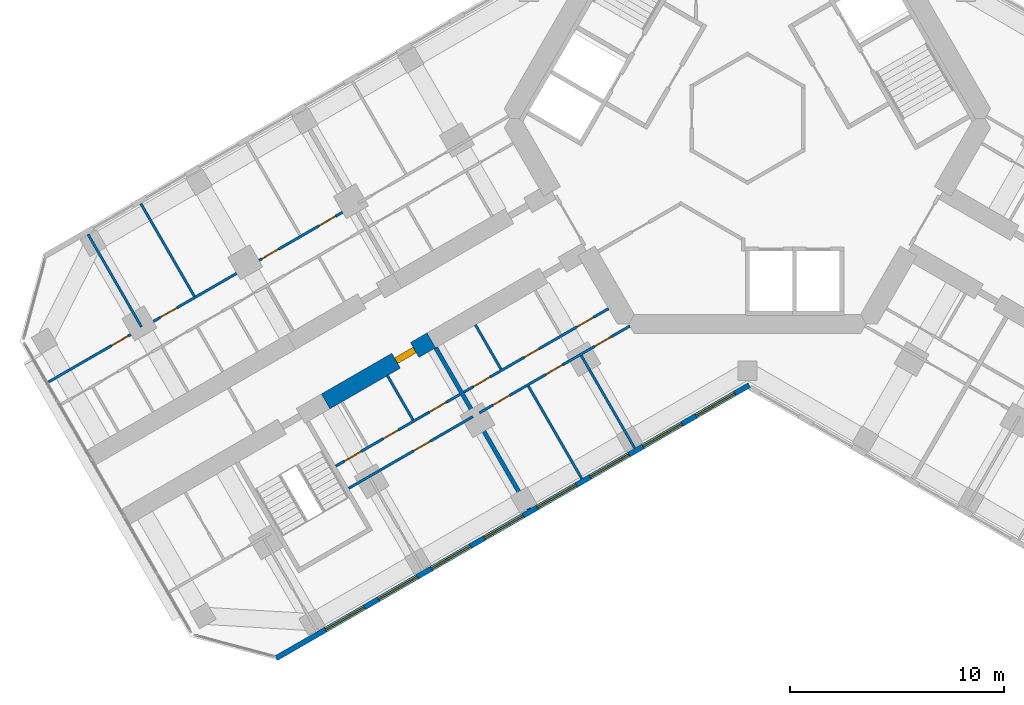
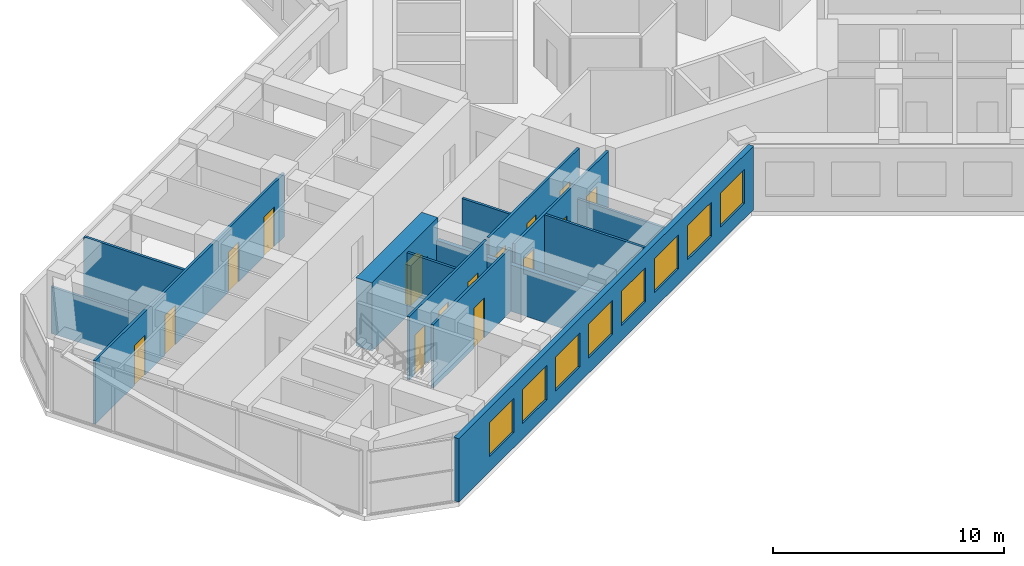
# One storey, part 11 of 19: 15 doors, 14 walls, 8 windows, 23 openings.
"""IFC4 building model written with IfcOpenShell, lengths in metres."""

from ifc_helpers import new_model, si_unit, direction, frame, frame_2d, origin, place, context, subcontext, project, spatial, rectangle, extrude, material, layer, layer_set, type_object, element, fill, save


model = new_model("IFC4")

# Units and contexts
model_context = context("Model", 3, precision=1e-05, world=origin(), true_north=direction((0.0, 1.0)))
body_context = subcontext(model_context, "Body", "Model", "MODEL_VIEW")
ifc_project = project(units=[si_unit("LENGTHUNIT", "METRE"), si_unit("AREAUNIT", "SQUARE_METRE"), si_unit("VOLUMEUNIT", "CUBIC_METRE"), si_unit("PLANEANGLEUNIT", "RADIAN"), si_unit("MASSUNIT", "GRAM", prefix="KILO")], contexts=[model_context])

# Site, building, storey
site_placement = place(None, origin())
site = spatial("IfcSite", under=ifc_project, at=site_placement, CompositionType="ELEMENT")
building_placement = place(site_placement, origin())
building = spatial("IfcBuilding", under=site, at=building_placement, Name="Kosmar Iwan School Tower", CompositionType="ELEMENT")
storey_placement = place(building_placement, frame((0.0, 0.0, 158.0)))
storey = spatial("IfcBuildingStorey", under=building, at=storey_placement, Name="L39", CompositionType="ELEMENT", Elevation=158.0)

# Wall, opening, door
ifc_material_1 = material(Name="Concrete C50/60", Category="concrete")
ifc_layer_1 = layer(ifc_material_1, 0.800048828125)
ifc_layer_set_1 = layer_set([ifc_layer_1], Name="Corridor buttress wall 800")
wall_type_1 = type_object("IfcWallType", Name="Corridor buttress wall 800", PredefinedType="SHEAR", material=ifc_layer_set_1)
wall_1_placement = place(storey_placement, frame((-14.7451171875, -10.360595703125, 0.0), z_axis=(0.0, 0.0, 1.0), x_axis=(-0.866015111908, -0.50001782563, 0.0)))
wall_1 = element("IfcWall", 1, at=wall_1_placement, inside=storey, type_object=wall_type_1, Name="Corridor wall BL bay 2", PredefinedType="SHEAR", context=body_context, shape_type="SweptSolid", body=[
    extrude(rectangle(XDim=5.699951171875, YDim=0.800048828125, at=frame_2d((2.85009765625, 0.0))), origin(), (0.0, 0.0, 1.0), 3.60009765625),
])
opening_1_placement = place(wall_1_placement, frame((0.89990234375, 0.0, 0.0)))
opening_1 = element("IfcOpeningElement", 2, at=opening_1_placement, cuts=wall_1, Name="Opening D1", PredefinedType="OPENING", context=body_context, shape_type="SweptSolid", body=[
    extrude(rectangle(XDim=1.0, YDim=2.10009765625, at=frame_2d((0.5, 1.050048828125))), frame((0.0, 0.412109375, 0.0), z_axis=(0.0, -1.0, 0.0), x_axis=(1.0, 0.0, 0.0)), (0.0, 0.0, 1.0), 0.823974609375),
])
ifc_material_2 = material(Name="Timber fire door in steel frame", Category="steel")
door_type_1 = type_object("IfcDoorType", Name="Flat entrance door 1000x2100", OperationType="SINGLE_SWING_LEFT", PredefinedType="DOOR", material=ifc_material_2)
door_1_placement = place(opening_1_placement, origin())
door_1 = element("IfcDoor", 3, at=door_1_placement, inside=storey, type_object=door_type_1, Name="Flat L39-BL2 entrance door", OperationType="SINGLE_SWING_RIGHT", OverallHeight=2.10009765625, OverallWidth=1.0, PredefinedType="DOOR", context=body_context, shape_type="SweptSolid", body=[
    extrude(rectangle(XDim=1.0, YDim=2.10009765625, at=frame_2d((0.5, 1.050048828125))), frame((0.0, 0.14990234375, 0.0), z_axis=(0.0, -1.0, 0.0), x_axis=(1.0, 0.0, 0.0)), (0.0, 0.0, 1.0), 0.300048828125),
])
fill(opening_1, door_1)

# Wall, openings, doors
ifc_material_3 = material(Name="Gypsum board on steel studs", Category="steel")
ifc_layer_2 = layer(ifc_material_3, 0.1201171875)
ifc_layer_set_2 = layer_set([ifc_layer_2], Name="Dwelling partition 120")
wall_type_2 = type_object("IfcWallType", Name="Dwelling partition 120", PredefinedType="PARTITIONING", material=ifc_layer_set_2)
wall_2_placement = place(storey_placement, frame((-6.478515625, -8.87890625, 0.0), z_axis=(0.0, 0.0, 1.0), x_axis=(-0.866034953203, -0.499983459557, 0.0)))
wall_2 = element("IfcWall", 4, at=wall_2_placement, inside=storey, type_object=wall_type_2, Name="Partition L39-BL1-W1", PredefinedType="PARTITIONING", context=body_context, shape_type="SweptSolid", body=[
    extrude(rectangle(XDim=7.800048828125, YDim=0.1201171875, at=frame_2d((3.89990234375, 0.0))), origin(), (0.0, 0.0, 1.0), 3.35009765625),
])
opening_2_placement = place(wall_2_placement, frame((0.800048828125, 0.0, 0.0)))
opening_2 = element("IfcOpeningElement", 5, at=opening_2_placement, cuts=wall_2, Name="Opening D2", PredefinedType="OPENING", context=body_context, shape_type="SweptSolid", body=[
    extrude(rectangle(XDim=0.89990234375, YDim=2.10009765625, at=frame_2d((0.449951171875, 1.050048828125))), frame((0.0, 0.072021484375, 0.0), z_axis=(0.0, -1.0, 0.0), x_axis=(1.0, 0.0, 0.0)), (0.0, 0.0, 1.0), 0.14404296875),
])
opening_3_placement = place(wall_2_placement, frame((3.755126953125, 0.0, 0.0)))
opening_3 = element("IfcOpeningElement", 6, at=opening_3_placement, cuts=wall_2, Name="Opening D3", PredefinedType="OPENING", context=body_context, shape_type="SweptSolid", body=[
    extrude(rectangle(XDim=0.800048828125, YDim=2.10009765625, at=frame_2d((0.39990234375, 1.050048828125))), frame((0.0, 0.072021484375, 0.0), z_axis=(0.0, -1.0, 0.0), x_axis=(1.0, 0.0, 0.0)), (0.0, 0.0, 1.0), 0.14404296875),
])
opening_4_placement = place(wall_2_placement, frame((6.380126953125, 0.0, 0.0)))
opening_4 = element("IfcOpeningElement", 7, at=opening_4_placement, cuts=wall_2, Name="Opening D2", PredefinedType="OPENING", context=body_context, shape_type="SweptSolid", body=[
    extrude(rectangle(XDim=0.89990234375, YDim=2.10009765625, at=frame_2d((0.449951171875, 1.050048828125))), frame((0.0, 0.072021484375, 0.0), z_axis=(0.0, -1.0, 0.0), x_axis=(1.0, 0.0, 0.0)), (0.0, 0.0, 1.0), 0.14404296875),
])
ifc_material_4 = material(Name="Timber door in timber frame", Category="wood")
door_type_2 = type_object("IfcDoorType", Name="Internal door 900x2100", OperationType="SINGLE_SWING_LEFT", PredefinedType="DOOR", material=ifc_material_4)
door_2_placement = place(opening_2_placement, origin())
door_2 = element("IfcDoor", 8, at=door_2_placement, inside=storey, type_object=door_type_2, Name="Entrance hall door L39-BL1-S1", OperationType="SINGLE_SWING_LEFT", OverallHeight=2.10009765625, OverallWidth=0.89990234375, PredefinedType="DOOR", context=body_context, shape_type="SweptSolid", body=[
    extrude(rectangle(XDim=0.89990234375, YDim=2.10009765625, at=frame_2d((0.449951171875, 1.050048828125))), frame((0.0, 0.02490234375, 0.0), z_axis=(0.0, -1.0, 0.0), x_axis=(1.0, 0.0, 0.0)), (0.0, 0.0, 1.0), 0.050048828125),
])
fill(opening_2, door_2)
door_3_placement = place(opening_4_placement, origin())
door_3 = element("IfcDoor", 9, at=door_3_placement, inside=storey, type_object=door_type_2, Name="Pantry door L39-BL1-S3", OperationType="SINGLE_SWING_RIGHT", OverallHeight=2.10009765625, OverallWidth=0.89990234375, PredefinedType="DOOR", context=body_context, shape_type="SweptSolid", body=[
    extrude(rectangle(XDim=0.89990234375, YDim=2.10009765625, at=frame_2d((0.449951171875, 1.050048828125))), frame((0.0, 0.02490234375, 0.0), z_axis=(0.0, -1.0, 0.0), x_axis=(1.0, 0.0, 0.0)), (0.0, 0.0, 1.0), 0.050048828125),
])
fill(opening_4, door_3)
ifc_material_5 = material(Name="Timber door in timber frame", Category="wood")
door_type_3 = type_object("IfcDoorType", Name="Sanitary room door 800x2100", OperationType="SINGLE_SWING_LEFT", PredefinedType="DOOR", material=ifc_material_5)
door_4_placement = place(opening_3_placement, origin())
door_4 = element("IfcDoor", 10, at=door_4_placement, inside=storey, type_object=door_type_3, Name="Bathroom door L39-BL1-S2", OperationType="SINGLE_SWING_RIGHT", OverallHeight=2.10009765625, OverallWidth=0.800048828125, PredefinedType="DOOR", context=body_context, shape_type="SweptSolid", body=[
    extrude(rectangle(XDim=0.800048828125, YDim=2.10009765625, at=frame_2d((0.39990234375, 1.050048828125))), frame((0.0, 0.02490234375, 0.0), z_axis=(0.0, -1.0, 0.0), x_axis=(1.0, 0.0, 0.0)), (0.0, 0.0, 1.0), 0.050048828125),
])
fill(opening_3, door_4)

wall_3_placement = place(storey_placement, frame((-5.48876953125, -9.693115234375, 0.0), z_axis=(0.0, 0.0, 1.0), x_axis=(-0.866025472755, -0.499999880539, 0.0)))
wall_3 = element("IfcWall", 11, at=wall_3_placement, inside=storey, type_object=wall_type_2, Name="Partition L39-BL1-W2", PredefinedType="PARTITIONING", context=body_context, shape_type="SweptSolid", body=[
    extrude(rectangle(XDim=8.10009765625, YDim=0.1201171875, at=frame_2d((4.050048828125, 0.0))), origin(), (0.0, 0.0, 1.0), 3.35009765625),
])
opening_5_placement = place(wall_3_placement, frame((1.0, 0.0, 0.0)))
opening_5 = element("IfcOpeningElement", 12, at=opening_5_placement, cuts=wall_3, Name="Opening D2", PredefinedType="OPENING", context=body_context, shape_type="SweptSolid", body=[
    extrude(rectangle(XDim=0.89990234375, YDim=2.10009765625, at=frame_2d((0.449951171875, 1.050048828125))), frame((0.0, 0.072021484375, 0.0), z_axis=(0.0, -1.0, 0.0), x_axis=(1.0, 0.0, 0.0)), (0.0, 0.0, 1.0), 0.14404296875),
])
opening_6_placement = place(wall_3_placement, frame((3.625, 0.0, 0.0)))
opening_6 = element("IfcOpeningElement", 13, at=opening_6_placement, cuts=wall_3, Name="Opening D2", PredefinedType="OPENING", context=body_context, shape_type="SweptSolid", body=[
    extrude(rectangle(XDim=0.89990234375, YDim=2.10009765625, at=frame_2d((0.449951171875, 1.050048828125))), frame((0.0, 0.072021484375, 0.0), z_axis=(0.0, -1.0, 0.0), x_axis=(1.0, 0.0, 0.0)), (0.0, 0.0, 1.0), 0.14404296875),
])
opening_7_placement = place(wall_3_placement, frame((6.47509765625, 0.0, 0.0)))
opening_7 = element("IfcOpeningElement", 14, at=opening_7_placement, cuts=wall_3, Name="Opening D2", PredefinedType="OPENING", context=body_context, shape_type="SweptSolid", body=[
    extrude(rectangle(XDim=0.89990234375, YDim=2.10009765625, at=frame_2d((0.449951171875, 1.050048828125))), frame((0.0, 0.072021484375, 0.0), z_axis=(0.0, -1.0, 0.0), x_axis=(1.0, 0.0, 0.0)), (0.0, 0.0, 1.0), 0.14404296875),
])
door_5_placement = place(opening_5_placement, origin())
door_5 = element("IfcDoor", 15, at=door_5_placement, inside=storey, type_object=door_type_2, Name="Family room and kitchen door L39-BL1-F1", OperationType="SINGLE_SWING_LEFT", OverallHeight=2.10009765625, OverallWidth=0.89990234375, PredefinedType="DOOR", context=body_context, shape_type="SweptSolid", body=[
    extrude(rectangle(XDim=0.89990234375, YDim=2.10009765625, at=frame_2d((0.449951171875, 1.050048828125))), frame((0.0, 0.02490234375, 0.0), z_axis=(0.0, -1.0, 0.0), x_axis=(1.0, 0.0, 0.0)), (0.0, 0.0, 1.0), 0.050048828125),
])
fill(opening_5, door_5)
door_6_placement = place(opening_6_placement, origin())
door_6 = element("IfcDoor", 16, at=door_6_placement, inside=storey, type_object=door_type_2, Name="Study door L39-BL1-F2", OperationType="SINGLE_SWING_RIGHT", OverallHeight=2.10009765625, OverallWidth=0.89990234375, PredefinedType="DOOR", context=body_context, shape_type="SweptSolid", body=[
    extrude(rectangle(XDim=0.89990234375, YDim=2.10009765625, at=frame_2d((0.449951171875, 1.050048828125))), frame((0.0, 0.02490234375, 0.0), z_axis=(0.0, -1.0, 0.0), x_axis=(1.0, 0.0, 0.0)), (0.0, 0.0, 1.0), 0.050048828125),
])
fill(opening_6, door_6)
door_7_placement = place(opening_7_placement, origin())
door_7 = element("IfcDoor", 17, at=door_7_placement, inside=storey, type_object=door_type_2, Name="Bedroom 1 door L39-BL1-F3", OperationType="SINGLE_SWING_RIGHT", OverallHeight=2.10009765625, OverallWidth=0.89990234375, PredefinedType="DOOR", context=body_context, shape_type="SweptSolid", body=[
    extrude(rectangle(XDim=0.89990234375, YDim=2.10009765625, at=frame_2d((0.449951171875, 1.050048828125))), frame((0.0, 0.02490234375, 0.0), z_axis=(0.0, -1.0, 0.0), x_axis=(1.0, 0.0, 0.0)), (0.0, 0.0, 1.0), 0.050048828125),
])
fill(opening_7, door_7)

# Walls
wall_4_placement = place(storey_placement, frame((-7.75390625, -11.070068359375, 0.0), z_axis=(0.0, 0.0, 1.0), x_axis=(0.500011847778, -0.866018563358, 0.0)))
element("IfcWall", 18, at=wall_4_placement, inside=storey, type_object=wall_type_2, Name="Partition L39-BL1-X1", PredefinedType="PARTITIONING", context=body_context, shape_type="SweptSolid", body=[
    extrude(rectangle(XDim=4.990234375, YDim=0.1201171875, at=frame_2d((2.4951171875, 0.0))), origin(), (0.0, 0.0, 1.0), 2.449951171875),
])
wall_5_placement = place(storey_placement, frame((-10.221923828125, -12.4951171875, 0.0), z_axis=(0.0, 0.0, 1.0), x_axis=(0.499996339024, -0.86602751744, 0.0)))
element("IfcWall", 19, at=wall_5_placement, inside=storey, type_object=wall_type_2, Name="Partition L39-BL1-X2", PredefinedType="PARTITIONING", context=body_context, shape_type="SweptSolid", body=[
    extrude(rectangle(XDim=4.98974609375, YDim=0.1201171875, at=frame_2d((2.494873046875, 0.0))), origin(), (0.0, 0.0, 1.0), 3.35009765625),
])
wall_6_placement = place(storey_placement, frame((-12.69189453125, -9.636962890625, 0.0), z_axis=(0.0, 0.0, 1.0), x_axis=(0.500017192868, -0.86601547725, 0.0)))
element("IfcWall", 20, at=wall_6_placement, inside=storey, type_object=wall_type_2, Name="Partition L39-BL1-Y2", PredefinedType="PARTITIONING", context=body_context, shape_type="SweptSolid", body=[
    extrude(rectangle(XDim=2.39013671875, YDim=0.1201171875, at=frame_2d((1.195068359375, 0.0))), origin(), (0.0, 0.0, 1.0), 3.35009765625),
])

# Wall, openings, doors
wall_7_placement = place(storey_placement, frame((-13.40673828125, -12.87890625, 0.0), z_axis=(0.0, 0.0, 1.0), x_axis=(-0.866039349182, -0.499975845085, 0.0)))
wall_7 = element("IfcWall", 21, at=wall_7_placement, inside=storey, type_object=wall_type_2, Name="Partition L39-BL2-W1", PredefinedType="PARTITIONING", context=body_context, shape_type="SweptSolid", body=[
    extrude(rectangle(XDim=6.699951171875, YDim=0.1201171875, at=frame_2d((3.35009765625, 0.0))), origin(), (0.0, 0.0, 1.0), 3.35009765625),
])
opening_8_placement = place(wall_7_placement, frame((0.75, 0.0, 0.0)))
opening_8 = element("IfcOpeningElement", 22, at=opening_8_placement, cuts=wall_7, Name="Opening D2", PredefinedType="OPENING", context=body_context, shape_type="SweptSolid", body=[
    extrude(rectangle(XDim=0.89990234375, YDim=2.10009765625, at=frame_2d((0.449951171875, 1.050048828125))), frame((0.0, 0.072021484375, 0.0), z_axis=(0.0, -1.0, 0.0), x_axis=(1.0, 0.0, 0.0)), (0.0, 0.0, 1.0), 0.14404296875),
])
opening_9_placement = place(wall_7_placement, frame((3.330078125, 0.0, 0.0)))
opening_9 = element("IfcOpeningElement", 23, at=opening_9_placement, cuts=wall_7, Name="Opening D3", PredefinedType="OPENING", context=body_context, shape_type="SweptSolid", body=[
    extrude(rectangle(XDim=0.800048828125, YDim=2.10009765625, at=frame_2d((0.39990234375, 1.050048828125))), frame((0.0, 0.072021484375, 0.0), z_axis=(0.0, -1.0, 0.0), x_axis=(1.0, 0.0, 0.0)), (0.0, 0.0, 1.0), 0.14404296875),
])
opening_10_placement = place(wall_7_placement, frame((5.330078125, 0.0, 0.0)))
opening_10 = element("IfcOpeningElement", 24, at=opening_10_placement, cuts=wall_7, Name="Opening D2", PredefinedType="OPENING", context=body_context, shape_type="SweptSolid", body=[
    extrude(rectangle(XDim=0.89990234375, YDim=2.10009765625, at=frame_2d((0.449951171875, 1.050048828125))), frame((0.0, 0.072021484375, 0.0), z_axis=(0.0, -1.0, 0.0), x_axis=(1.0, 0.0, 0.0)), (0.0, 0.0, 1.0), 0.14404296875),
])
door_8_placement = place(opening_8_placement, origin())
door_8 = element("IfcDoor", 25, at=door_8_placement, inside=storey, type_object=door_type_2, Name="Entrance hall door L39-BL2-S1", OperationType="SINGLE_SWING_LEFT", OverallHeight=2.10009765625, OverallWidth=0.89990234375, PredefinedType="DOOR", context=body_context, shape_type="SweptSolid", body=[
    extrude(rectangle(XDim=0.89990234375, YDim=2.10009765625, at=frame_2d((0.449951171875, 1.050048828125))), frame((0.0, 0.02490234375, 0.0), z_axis=(0.0, -1.0, 0.0), x_axis=(1.0, 0.0, 0.0)), (0.0, 0.0, 1.0), 0.050048828125),
])
fill(opening_8, door_8)
door_9_placement = place(opening_10_placement, frame((0.89990234375, 0.0, 0.0), z_axis=(0.0, 0.0, 1.0), x_axis=(-1.0, 0.0, 0.0)))
door_9 = element("IfcDoor", 26, at=door_9_placement, inside=storey, type_object=door_type_2, Name="Pantry door L39-BL2-S3", OperationType="SINGLE_SWING_LEFT", OverallHeight=2.10009765625, OverallWidth=0.89990234375, PredefinedType="DOOR", context=body_context, shape_type="SweptSolid", body=[
    extrude(rectangle(XDim=0.89990234375, YDim=2.10009765625, at=frame_2d((0.449951171875, 1.050048828125))), frame((0.0, 0.02490234375, 0.0), z_axis=(0.0, -1.0, 0.0), x_axis=(1.0, 0.0, 0.0)), (0.0, 0.0, 1.0), 0.050048828125),
])
fill(opening_10, door_9)
door_10_placement = place(opening_9_placement, origin())
door_10 = element("IfcDoor", 27, at=door_10_placement, inside=storey, type_object=door_type_3, Name="Bathroom door L39-BL2-S2", OperationType="SINGLE_SWING_RIGHT", OverallHeight=2.10009765625, OverallWidth=0.800048828125, PredefinedType="DOOR", context=body_context, shape_type="SweptSolid", body=[
    extrude(rectangle(XDim=0.800048828125, YDim=2.10009765625, at=frame_2d((0.39990234375, 1.050048828125))), frame((0.0, 0.02490234375, 0.0), z_axis=(0.0, -1.0, 0.0), x_axis=(1.0, 0.0, 0.0)), (0.0, 0.0, 1.0), 0.050048828125),
])
fill(opening_9, door_10)

# Wall, opening, door
wall_8_placement = place(storey_placement, frame((-12.806640625, -13.91796875, 0.0), z_axis=(0.0, 0.0, 1.0), x_axis=(-0.866023571113, -0.500003174267, 0.0)))
wall_8 = element("IfcWall", 28, at=wall_8_placement, inside=storey, type_object=wall_type_2, Name="Partition L39-BL2-W2", PredefinedType="PARTITIONING", context=body_context, shape_type="SweptSolid", body=[
    extrude(rectangle(XDim=6.7001953125, YDim=0.1201171875, at=frame_2d((3.35009765625, 0.0))), origin(), (0.0, 0.0, 1.0), 3.35009765625),
])
opening_11_placement = place(wall_8_placement, frame((2.300048828125, 0.0, 0.0)))
opening_11 = element("IfcOpeningElement", 29, at=opening_11_placement, cuts=wall_8, Name="Opening D2", PredefinedType="OPENING", context=body_context, shape_type="SweptSolid", body=[
    extrude(rectangle(XDim=0.89990234375, YDim=2.10009765625, at=frame_2d((0.449951171875, 1.050048828125))), frame((0.0, 0.072021484375, 0.0), z_axis=(0.0, -1.0, 0.0), x_axis=(1.0, 0.0, 0.0)), (0.0, 0.0, 1.0), 0.14404296875),
])
door_11_placement = place(opening_11_placement, origin())
door_11 = element("IfcDoor", 30, at=door_11_placement, inside=storey, type_object=door_type_2, Name="Studio living room and kitchen door L39-BL2-F1", OperationType="SINGLE_SWING_LEFT", OverallHeight=2.10009765625, OverallWidth=0.89990234375, PredefinedType="DOOR", context=body_context, shape_type="SweptSolid", body=[
    extrude(rectangle(XDim=0.89990234375, YDim=2.10009765625, at=frame_2d((0.449951171875, 1.050048828125))), frame((0.0, 0.02490234375, 0.0), z_axis=(0.0, -1.0, 0.0), x_axis=(1.0, 0.0, 0.0)), (0.0, 0.0, 1.0), 0.050048828125),
])
fill(opening_11, door_11)

# Wall
wall_9_placement = place(storey_placement, frame((-16.796875, -12.007080078125, 0.0), z_axis=(0.0, 0.0, 1.0), x_axis=(0.500017192868, -0.86601547725, 0.0)))
element("IfcWall", 31, at=wall_9_placement, inside=storey, type_object=wall_type_2, Name="Partition L39-BL2-Y1", PredefinedType="PARTITIONING", context=body_context, shape_type="SweptSolid", body=[
    extrude(rectangle(XDim=2.39013671875, YDim=0.1201171875, at=frame_2d((1.195068359375, 0.0))), origin(), (0.0, 0.0, 1.0), 3.35009765625),
])

# Wall, openings, doors
wall_10_placement = place(storey_placement, frame((-18.456787109375, -4.1318359375, 0.0), z_axis=(0.0, 0.0, 1.0), x_axis=(-0.866023907196, -0.500002592159, 0.0)))
wall_10 = element("IfcWall", 32, at=wall_10_placement, inside=storey, type_object=wall_type_2, Name="Partition L39-BR2-W2", PredefinedType="PARTITIONING", context=body_context, shape_type="SweptSolid", body=[
    extrude(rectangle(XDim=16.34521484375, YDim=0.1201171875, at=frame_2d((8.172607421875, 0.0))), origin(), (0.0, 0.0, 1.0), 3.35009765625),
])
opening_12_placement = place(wall_10_placement, frame((0.875, 0.0, 0.0)))
opening_12 = element("IfcOpeningElement", 33, at=opening_12_placement, cuts=wall_10, Name="Opening D2", PredefinedType="OPENING", context=body_context, shape_type="SweptSolid", body=[
    extrude(rectangle(XDim=0.89990234375, YDim=2.10009765625, at=frame_2d((0.449951171875, 1.050048828125))), frame((0.0, 0.072021484375, 0.0), z_axis=(0.0, -1.0, 0.0), x_axis=(1.0, 0.0, 0.0)), (0.0, 0.0, 1.0), 0.14404296875),
])
opening_13_placement = place(wall_10_placement, frame((3.949951171875, 0.0, 0.0)))
opening_13 = element("IfcOpeningElement", 34, at=opening_13_placement, cuts=wall_10, Name="Opening D2", PredefinedType="OPENING", context=body_context, shape_type="SweptSolid", body=[
    extrude(rectangle(XDim=0.89990234375, YDim=2.10009765625, at=frame_2d((0.449951171875, 1.050048828125))), frame((0.0, 0.072021484375, 0.0), z_axis=(0.0, -1.0, 0.0), x_axis=(1.0, 0.0, 0.0)), (0.0, 0.0, 1.0), 0.14404296875),
])
opening_14_placement = place(wall_10_placement, frame((9.425048828125, 0.0, 0.0)))
opening_14 = element("IfcOpeningElement", 35, at=opening_14_placement, cuts=wall_10, Name="Opening D2", PredefinedType="OPENING", context=body_context, shape_type="SweptSolid", body=[
    extrude(rectangle(XDim=0.89990234375, YDim=2.10009765625, at=frame_2d((0.449951171875, 1.050048828125))), frame((0.0, 0.072021484375, 0.0), z_axis=(0.0, -1.0, 0.0), x_axis=(1.0, 0.0, 0.0)), (0.0, 0.0, 1.0), 0.14404296875),
])
opening_15_placement = place(wall_10_placement, frame((12.050048828125, 0.0, 0.0)))
opening_15 = element("IfcOpeningElement", 36, at=opening_15_placement, cuts=wall_10, Name="Opening D2", PredefinedType="OPENING", context=body_context, shape_type="SweptSolid", body=[
    extrude(rectangle(XDim=0.89990234375, YDim=2.10009765625, at=frame_2d((0.449951171875, 1.050048828125))), frame((0.0, 0.072021484375, 0.0), z_axis=(0.0, -1.0, 0.0), x_axis=(1.0, 0.0, 0.0)), (0.0, 0.0, 1.0), 0.14404296875),
])
door_12_placement = place(opening_12_placement, origin())
door_12 = element("IfcDoor", 37, at=door_12_placement, inside=storey, type_object=door_type_2, Name="Kitchen and dining room door L39-BR2-F1", OperationType="SINGLE_SWING_LEFT", OverallHeight=2.10009765625, OverallWidth=0.89990234375, PredefinedType="DOOR", context=body_context, shape_type="SweptSolid", body=[
    extrude(rectangle(XDim=0.89990234375, YDim=2.10009765625, at=frame_2d((0.449951171875, 1.050048828125))), frame((0.0, 0.02490234375, 0.0), z_axis=(0.0, -1.0, 0.0), x_axis=(1.0, 0.0, 0.0)), (0.0, 0.0, 1.0), 0.050048828125),
])
fill(opening_12, door_12)
door_13_placement = place(opening_13_placement, origin())
door_13 = element("IfcDoor", 38, at=door_13_placement, inside=storey, type_object=door_type_2, Name="Living room door L39-BR2-F2", OperationType="SINGLE_SWING_LEFT", OverallHeight=2.10009765625, OverallWidth=0.89990234375, PredefinedType="DOOR", context=body_context, shape_type="SweptSolid", body=[
    extrude(rectangle(XDim=0.89990234375, YDim=2.10009765625, at=frame_2d((0.449951171875, 1.050048828125))), frame((0.0, 0.02490234375, 0.0), z_axis=(0.0, -1.0, 0.0), x_axis=(1.0, 0.0, 0.0)), (0.0, 0.0, 1.0), 0.050048828125),
])
fill(opening_13, door_13)
door_14_placement = place(opening_14_placement, origin())
door_14 = element("IfcDoor", 39, at=door_14_placement, inside=storey, type_object=door_type_2, Name="Bedroom 1 door L39-BR2-F3", OperationType="SINGLE_SWING_RIGHT", OverallHeight=2.10009765625, OverallWidth=0.89990234375, PredefinedType="DOOR", context=body_context, shape_type="SweptSolid", body=[
    extrude(rectangle(XDim=0.89990234375, YDim=2.10009765625, at=frame_2d((0.449951171875, 1.050048828125))), frame((0.0, 0.02490234375, 0.0), z_axis=(0.0, -1.0, 0.0), x_axis=(1.0, 0.0, 0.0)), (0.0, 0.0, 1.0), 0.050048828125),
])
fill(opening_14, door_14)
door_15_placement = place(opening_15_placement, origin())
door_15 = element("IfcDoor", 40, at=door_15_placement, inside=storey, type_object=door_type_2, Name="Bedroom 2 door L39-BR2-F4", OperationType="SINGLE_SWING_RIGHT", OverallHeight=2.10009765625, OverallWidth=0.89990234375, PredefinedType="DOOR", context=body_context, shape_type="SweptSolid", body=[
    extrude(rectangle(XDim=0.89990234375, YDim=2.10009765625, at=frame_2d((0.449951171875, 1.050048828125))), frame((0.0, 0.02490234375, 0.0), z_axis=(0.0, -1.0, 0.0), x_axis=(1.0, 0.0, 0.0)), (0.0, 0.0, 1.0), 0.050048828125),
])
fill(opening_15, door_15)

# Walls
wall_11_placement = place(storey_placement, frame((-25.8046875, -8.304931640625, 0.0), z_axis=(0.0, 0.0, 1.0), x_axis=(-0.499975153383, 0.86603974851, 0.0)))
element("IfcWall", 41, at=wall_11_placement, inside=storey, type_object=wall_type_2, Name="Partition L39-BR2-X2", PredefinedType="PARTITIONING", context=body_context, shape_type="SweptSolid", body=[
    extrude(rectangle(XDim=4.989990234375, YDim=0.1201171875, at=frame_2d((2.4951171875, 0.0))), origin(), (0.0, 0.0, 1.0), 3.35009765625),
])
wall_12_placement = place(storey_placement, frame((-28.27294921875, -9.72998046875, 0.0), z_axis=(0.0, 0.0, 1.0), x_axis=(-0.499975153383, 0.86603974851, 0.0)))
element("IfcWall", 42, at=wall_12_placement, inside=storey, type_object=wall_type_2, Name="Partition L39-BR2-X3", PredefinedType="PARTITIONING", context=body_context, shape_type="SweptSolid", body=[
    extrude(rectangle(XDim=4.989990234375, YDim=0.1201171875, at=frame_2d((2.4951171875, 0.0))), origin(), (0.0, 0.0, 1.0), 2.449951171875),
])

# Wall, openings, windows
ifc_material_6 = material(Name="Black aluminium rainscreen on insulated framing", Category="aluminium")
ifc_layer_3 = layer(ifc_material_6, 0.25)
ifc_layer_set_3 = layer_set([ifc_layer_3], Name="External wall rainscreen 250")
wall_type_3 = type_object("IfcWallType", Name="External wall rainscreen 250", PredefinedType="SOLIDWALL", material=ifc_layer_set_3)
wall_13_placement = place(storey_placement, frame((0.088134765625, -12.44873046875, 0.0), z_axis=(0.0, 0.0, 1.0), x_axis=(-0.866026390279, -0.499998291337, 0.0)))
wall_13 = element("IfcWall", 43, at=wall_13_placement, inside=storey, type_object=wall_type_3, Name="External wall BL L39", PredefinedType="SOLIDWALL", context=body_context, shape_type="SweptSolid", body=[
    extrude(rectangle(XDim=25.4873046875, YDim=0.25, at=frame_2d((12.74365234375, 0.0))), origin(), (0.0, 0.0, 1.0), 3.35009765625),
])
opening_16_placement = place(wall_13_placement, frame((0.777099609375, 0.0, 0.800048828125)))
opening_16 = element("IfcOpeningElement", 44, at=opening_16_placement, cuts=wall_13, Name="Opening W4", PredefinedType="OPENING", context=body_context, shape_type="SweptSolid", body=[
    extrude(rectangle(XDim=2.10009765625, YDim=1.800048828125, at=frame_2d((1.050048828125, 0.89990234375))), frame((0.0, 0.136962890625, 0.0), z_axis=(0.0, -1.0, 0.0), x_axis=(1.0, 0.0, 0.0)), (0.0, 0.0, 1.0), 0.27392578125),
])
opening_17_placement = place(wall_13_placement, frame((3.626953125, 0.0, 0.800048828125)))
opening_17 = element("IfcOpeningElement", 45, at=opening_17_placement, cuts=wall_13, Name="Opening W4", PredefinedType="OPENING", context=body_context, shape_type="SweptSolid", body=[
    extrude(rectangle(XDim=2.10009765625, YDim=1.800048828125, at=frame_2d((1.050048828125, 0.89990234375))), frame((0.0, 0.136962890625, 0.0), z_axis=(0.0, -1.0, 0.0), x_axis=(1.0, 0.0, 0.0)), (0.0, 0.0, 1.0), 0.27392578125),
])
opening_18_placement = place(wall_13_placement, frame((6.47705078125, 0.0, 0.800048828125)))
opening_18 = element("IfcOpeningElement", 46, at=opening_18_placement, cuts=wall_13, Name="Opening W4", PredefinedType="OPENING", context=body_context, shape_type="SweptSolid", body=[
    extrude(rectangle(XDim=2.10009765625, YDim=1.800048828125, at=frame_2d((1.050048828125, 0.89990234375))), frame((0.0, 0.136962890625, 0.0), z_axis=(0.0, -1.0, 0.0), x_axis=(1.0, 0.0, 0.0)), (0.0, 0.0, 1.0), 0.27392578125),
])
opening_19_placement = place(wall_13_placement, frame((9.326904296875, 0.0, 0.800048828125)))
opening_19 = element("IfcOpeningElement", 47, at=opening_19_placement, cuts=wall_13, Name="Opening W4", PredefinedType="OPENING", context=body_context, shape_type="SweptSolid", body=[
    extrude(rectangle(XDim=2.10009765625, YDim=1.800048828125, at=frame_2d((1.050048828125, 0.89990234375))), frame((0.0, 0.136962890625, 0.0), z_axis=(0.0, -1.0, 0.0), x_axis=(1.0, 0.0, 0.0)), (0.0, 0.0, 1.0), 0.27392578125),
])
opening_20_placement = place(wall_13_placement, frame((12.177001953125, 0.0, 0.800048828125)))
opening_20 = element("IfcOpeningElement", 48, at=opening_20_placement, cuts=wall_13, Name="Opening W4", PredefinedType="OPENING", context=body_context, shape_type="SweptSolid", body=[
    extrude(rectangle(XDim=2.10009765625, YDim=1.800048828125, at=frame_2d((1.050048828125, 0.89990234375))), frame((0.0, 0.136962890625, 0.0), z_axis=(0.0, -1.0, 0.0), x_axis=(1.0, 0.0, 0.0)), (0.0, 0.0, 1.0), 0.27392578125),
])
opening_21_placement = place(wall_13_placement, frame((15.027099609375, 0.0, 0.800048828125)))
opening_21 = element("IfcOpeningElement", 49, at=opening_21_placement, cuts=wall_13, Name="Opening W4", PredefinedType="OPENING", context=body_context, shape_type="SweptSolid", body=[
    extrude(rectangle(XDim=2.10009765625, YDim=1.800048828125, at=frame_2d((1.050048828125, 0.89990234375))), frame((0.0, 0.136962890625, 0.0), z_axis=(0.0, -1.0, 0.0), x_axis=(1.0, 0.0, 0.0)), (0.0, 0.0, 1.0), 0.27392578125),
])
opening_22_placement = place(wall_13_placement, frame((17.876953125, 0.0, 0.800048828125)))
opening_22 = element("IfcOpeningElement", 50, at=opening_22_placement, cuts=wall_13, Name="Opening W4", PredefinedType="OPENING", context=body_context, shape_type="SweptSolid", body=[
    extrude(rectangle(XDim=2.10009765625, YDim=1.800048828125, at=frame_2d((1.050048828125, 0.89990234375))), frame((0.0, 0.136962890625, 0.0), z_axis=(0.0, -1.0, 0.0), x_axis=(1.0, 0.0, 0.0)), (0.0, 0.0, 1.0), 0.27392578125),
])
opening_23_placement = place(wall_13_placement, frame((20.72705078125, 0.0, 0.800048828125)))
opening_23 = element("IfcOpeningElement", 51, at=opening_23_placement, cuts=wall_13, Name="Opening W4", PredefinedType="OPENING", context=body_context, shape_type="SweptSolid", body=[
    extrude(rectangle(XDim=2.10009765625, YDim=1.800048828125, at=frame_2d((1.050048828125, 0.89990234375))), frame((0.0, 0.136962890625, 0.0), z_axis=(0.0, -1.0, 0.0), x_axis=(1.0, 0.0, 0.0)), (0.0, 0.0, 1.0), 0.27392578125),
])
ifc_material_7 = material(Name="Black aluminium frame with dark triple glazing", Category="aluminium")
window_type = type_object("IfcWindowType", Name="Window 2100x1800", PartitioningType="SINGLE_PANEL", PredefinedType="WINDOW", material=ifc_material_7)
window_1_placement = place(opening_16_placement, origin())
window_1 = element("IfcWindow", 52, at=window_1_placement, inside=storey, type_object=window_type, Name="Window BL L39 -1", OverallHeight=1.800048828125, OverallWidth=2.10009765625, PartitioningType="SINGLE_PANEL", PredefinedType="WINDOW", context=body_context, shape_type="SweptSolid", body=[
    extrude(rectangle(XDim=2.10009765625, YDim=1.800048828125, at=frame_2d((1.050048828125, 0.89990234375))), frame((0.0, 0.030029296875, 0.0), z_axis=(0.0, -1.0, 0.0), x_axis=(1.0, 0.0, 0.0)), (0.0, 0.0, 1.0), 0.06005859375),
])
fill(opening_16, window_1)
window_2_placement = place(opening_17_placement, origin())
window_2 = element("IfcWindow", 53, at=window_2_placement, inside=storey, type_object=window_type, Name="Window BL L39 0", OverallHeight=1.800048828125, OverallWidth=2.10009765625, PartitioningType="SINGLE_PANEL", PredefinedType="WINDOW", context=body_context, shape_type="SweptSolid", body=[
    extrude(rectangle(XDim=2.10009765625, YDim=1.800048828125, at=frame_2d((1.050048828125, 0.89990234375))), frame((0.0, 0.030029296875, 0.0), z_axis=(0.0, -1.0, 0.0), x_axis=(1.0, 0.0, 0.0)), (0.0, 0.0, 1.0), 0.06005859375),
])
fill(opening_17, window_2)
window_3_placement = place(opening_18_placement, origin())
window_3 = element("IfcWindow", 54, at=window_3_placement, inside=storey, type_object=window_type, Name="Window BL L39 1", OverallHeight=1.800048828125, OverallWidth=2.10009765625, PartitioningType="SINGLE_PANEL", PredefinedType="WINDOW", context=body_context, shape_type="SweptSolid", body=[
    extrude(rectangle(XDim=2.10009765625, YDim=1.800048828125, at=frame_2d((1.050048828125, 0.89990234375))), frame((0.0, 0.030029296875, 0.0), z_axis=(0.0, -1.0, 0.0), x_axis=(1.0, 0.0, 0.0)), (0.0, 0.0, 1.0), 0.06005859375),
])
fill(opening_18, window_3)
window_4_placement = place(opening_19_placement, origin())
window_4 = element("IfcWindow", 55, at=window_4_placement, inside=storey, type_object=window_type, Name="Window BL L39 2", OverallHeight=1.800048828125, OverallWidth=2.10009765625, PartitioningType="SINGLE_PANEL", PredefinedType="WINDOW", context=body_context, shape_type="SweptSolid", body=[
    extrude(rectangle(XDim=2.10009765625, YDim=1.800048828125, at=frame_2d((1.050048828125, 0.89990234375))), frame((0.0, 0.030029296875, 0.0), z_axis=(0.0, -1.0, 0.0), x_axis=(1.0, 0.0, 0.0)), (0.0, 0.0, 1.0), 0.06005859375),
])
fill(opening_19, window_4)
window_5_placement = place(opening_20_placement, origin())
window_5 = element("IfcWindow", 56, at=window_5_placement, inside=storey, type_object=window_type, Name="Window BL L39 3", OverallHeight=1.800048828125, OverallWidth=2.10009765625, PartitioningType="SINGLE_PANEL", PredefinedType="WINDOW", context=body_context, shape_type="SweptSolid", body=[
    extrude(rectangle(XDim=2.10009765625, YDim=1.800048828125, at=frame_2d((1.050048828125, 0.89990234375))), frame((0.0, 0.030029296875, 0.0), z_axis=(0.0, -1.0, 0.0), x_axis=(1.0, 0.0, 0.0)), (0.0, 0.0, 1.0), 0.06005859375),
])
fill(opening_20, window_5)
window_6_placement = place(opening_21_placement, origin())
window_6 = element("IfcWindow", 57, at=window_6_placement, inside=storey, type_object=window_type, Name="Window BL L39 4", OverallHeight=1.800048828125, OverallWidth=2.10009765625, PartitioningType="SINGLE_PANEL", PredefinedType="WINDOW", context=body_context, shape_type="SweptSolid", body=[
    extrude(rectangle(XDim=2.10009765625, YDim=1.800048828125, at=frame_2d((1.050048828125, 0.89990234375))), frame((0.0, 0.030029296875, 0.0), z_axis=(0.0, -1.0, 0.0), x_axis=(1.0, 0.0, 0.0)), (0.0, 0.0, 1.0), 0.06005859375),
])
fill(opening_21, window_6)
window_7_placement = place(opening_22_placement, origin())
window_7 = element("IfcWindow", 58, at=window_7_placement, inside=storey, type_object=window_type, Name="Window BL L39 5", OverallHeight=1.800048828125, OverallWidth=2.10009765625, PartitioningType="SINGLE_PANEL", PredefinedType="WINDOW", context=body_context, shape_type="SweptSolid", body=[
    extrude(rectangle(XDim=2.10009765625, YDim=1.800048828125, at=frame_2d((1.050048828125, 0.89990234375))), frame((0.0, 0.030029296875, 0.0), z_axis=(0.0, -1.0, 0.0), x_axis=(1.0, 0.0, 0.0)), (0.0, 0.0, 1.0), 0.06005859375),
])
fill(opening_22, window_7)
window_8_placement = place(opening_23_placement, origin())
window_8 = element("IfcWindow", 59, at=window_8_placement, inside=storey, type_object=window_type, Name="Window BL L39 6", OverallHeight=1.800048828125, OverallWidth=2.10009765625, PartitioningType="SINGLE_PANEL", PredefinedType="WINDOW", context=body_context, shape_type="SweptSolid", body=[
    extrude(rectangle(XDim=2.10009765625, YDim=1.800048828125, at=frame_2d((1.050048828125, 0.89990234375))), frame((0.0, 0.030029296875, 0.0), z_axis=(0.0, -1.0, 0.0), x_axis=(1.0, 0.0, 0.0)), (0.0, 0.0, 1.0), 0.06005859375),
])
fill(opening_23, window_8)

# Wall
ifc_material_8 = material(Name="Concrete block masonry", Category="masonry")
ifc_layer_4 = layer(ifc_material_8, 0.199951171875)
ifc_layer_set_4 = layer_set([ifc_layer_4], Name="Party wall 200")
wall_type_4 = type_object("IfcWallType", Name="Party wall 200", PredefinedType="PARTITIONING", material=ifc_layer_set_4)
wall_14_placement = place(storey_placement, frame((-14.545166015625, -10.70703125, 0.0), z_axis=(0.0, 0.0, 1.0), x_axis=(0.500008278454, -0.866020624164, 0.0)))
element("IfcWall", 60, at=wall_14_placement, inside=storey, type_object=wall_type_4, Name="Partition L39-BL2-PW", PredefinedType="PARTITIONING", context=body_context, shape_type="SweptSolid", body=[
    extrude(rectangle(XDim=8.699951171875, YDim=0.199951171875, at=frame_2d((4.35009765625, 0.0))), origin(), (0.0, 0.0, 1.0), 2.449951171875),
])

save(model, "model.ifc")
